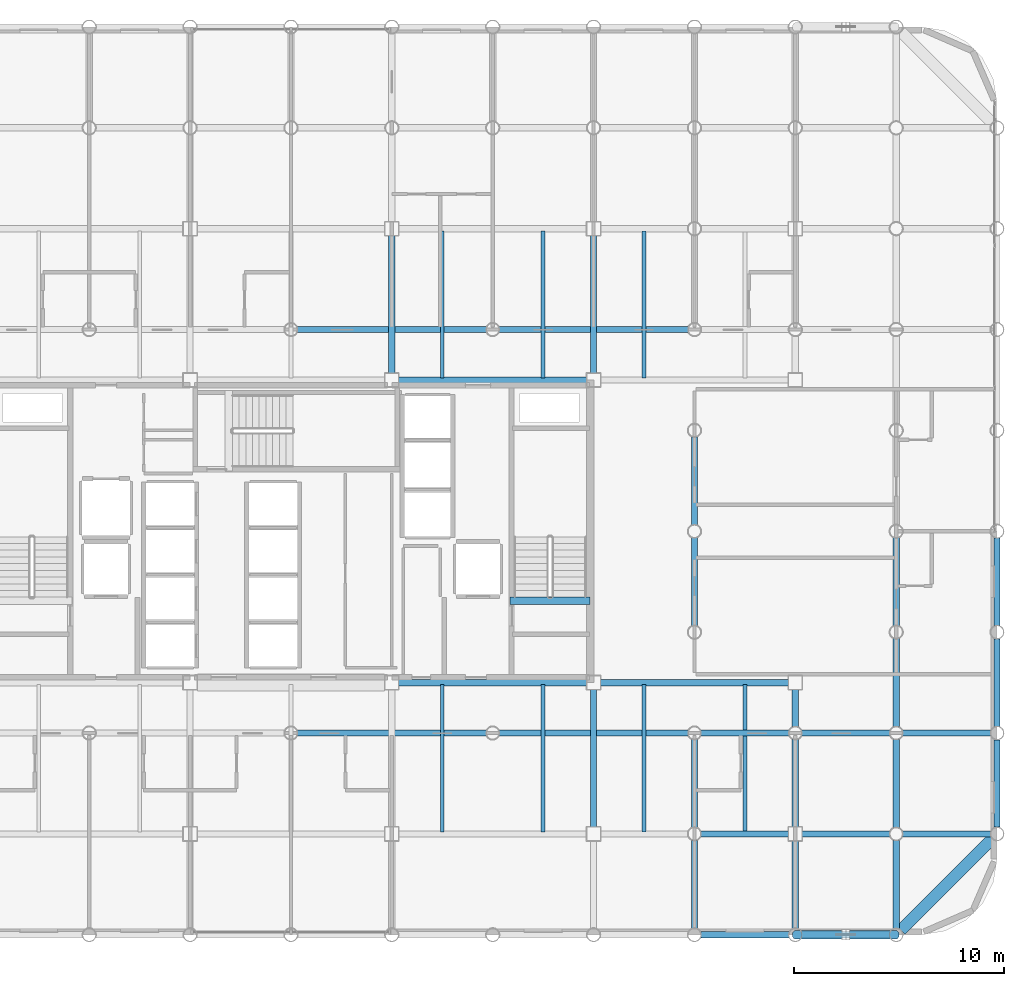
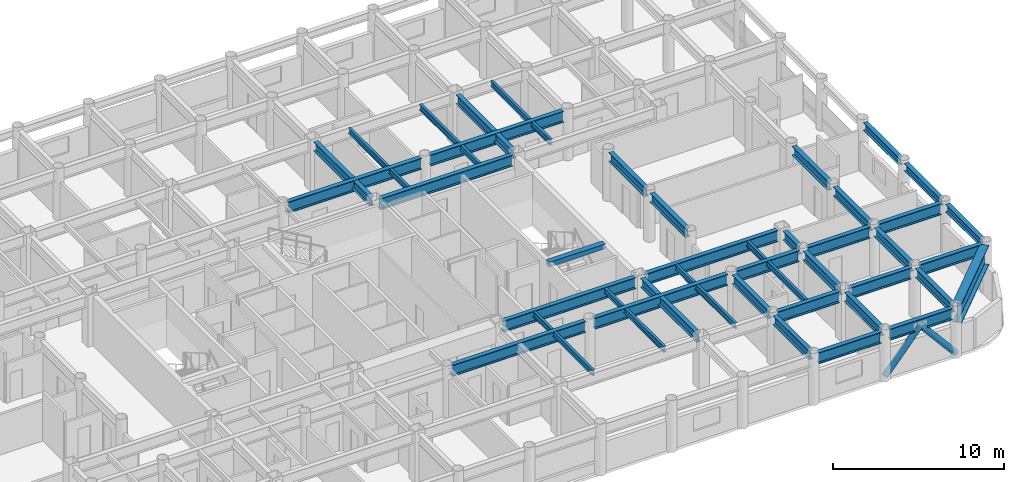
# One storey, part 7 of 22: 41 beams, 2 members.
"""IFC4 building model written with IfcOpenShell, lengths in metres."""

from ifc_helpers import new_model, si_unit, direction, frame, origin, origin_2d, place, context, subcontext, project, spatial, rectangle, hollow_circle, i_section, extrude, material, material_profile, profile_set, type_object, element, save


model = new_model("IFC4")

# Units and contexts
model_context = context("Model", 3, precision=1e-05, world=origin(), true_north=direction((0.0, 1.0)))
body_context = subcontext(model_context, "Body", "Model", "MODEL_VIEW")
ifc_project = project(units=[si_unit("LENGTHUNIT", "METRE"), si_unit("AREAUNIT", "SQUARE_METRE"), si_unit("VOLUMEUNIT", "CUBIC_METRE"), si_unit("PLANEANGLEUNIT", "RADIAN"), si_unit("MASSUNIT", "GRAM", prefix="KILO")], contexts=[model_context])

# Site, building, storey
site_placement = place(None, origin())
site = spatial("IfcSite", under=ifc_project, at=site_placement, CompositionType="ELEMENT")
building_placement = place(site_placement, origin())
building = spatial("IfcBuilding", under=site, at=building_placement, Name="Kallvorn Hotel Tower", CompositionType="ELEMENT")
storey_placement = place(building_placement, frame((0.0, 0.0, 113.699951171875)))
storey = spatial("IfcBuildingStorey", under=building, at=storey_placement, Name="L27", CompositionType="ELEMENT", Elevation=113.699951171875)

# Beams
ifc_material_1 = material(Name="Structural steel S355JR", Category="steel")
ifc_material_profile_1 = material_profile(ifc_material_1, i_section(OverallWidth=0.300048828125, OverallDepth=0.550048828125, WebThickness=0.014892578125, FlangeThickness=0.029052734375, at=origin_2d()), Name="HE 550 B")
ifc_profile_set_1 = profile_set([ifc_material_profile_1], Name="Structural steel S355JR")
beam_type_1 = type_object("IfcBeamType", Name="BM_HE550B", PredefinedType="SPANDREL", material=ifc_profile_set_1)
beam_1_placement = place(storey_placement, frame((33.60009765625, -14.080078125, 3.2451171875), z_axis=(0.0, 1.0, 0.0), x_axis=(-1.0, 0.0, 0.0)))
element("IfcBeam", 1, at=beam_1_placement, inside=storey, type_object=beam_type_1, Name="L28 Perimeter Spandrel 182", PredefinedType="SPANDREL", context=body_context, shape_type="SweptSolid", body=[
    extrude(i_section(OverallWidth=0.300048828125, OverallDepth=0.550048828125, WebThickness=0.014892578125, FlangeThickness=0.029052734375, at=origin_2d()), origin(), (0.0, 0.0, 1.0), 4.16015625),
])
for number, where, z_axis, x_axis, name in (
    (2, (33.60009765625, -9.280029296875, 3.2451171875), (0.0, 1.0, 0.0), (-1.0, 0.0, 0.0), "L28 Perimeter Spandrel 183"),
    (3, (33.60009765625, -4.47998046875, 3.2451171875), (0.0, 1.0, 0.0), (-1.0, 0.0, 0.0), "L28 Perimeter Spandrel 184"),
):
    element("IfcBeam", number, at=place(storey_placement, frame(where, z_axis=z_axis, x_axis=x_axis)), inside=storey, type_object=beam_type_1, Name=name, PredefinedType="SPANDREL", context=body_context, shape_type="SweptSolid", body=[
        extrude(i_section(OverallWidth=0.300048828125, OverallDepth=0.550048828125, WebThickness=0.014892578125, FlangeThickness=0.029052734375, at=origin_2d()), origin(), (0.0, 0.0, 1.0), 4.159912109375),
    ])
ifc_material_2 = material(Name="Structural steel S355JR", Category="steel")
ifc_material_profile_2 = material_profile(ifc_material_2, i_section(OverallWidth=0.300048828125, OverallDepth=0.64990234375, WebThickness=0.01611328125, FlangeThickness=0.031005859375, at=origin_2d()), Name="HE 650 B")
ifc_profile_set_2 = profile_set([ifc_material_profile_2], Name="Structural steel S355JR")
beam_type_2 = type_object("IfcBeamType", Name="BM_HE650B", PredefinedType="BEAM", material=ifc_profile_set_2)
for number, where, z_axis, x_axis, name in (
    (4, (4.800048828125, 7.52490234375, 3.195068359375), (0.0, 1.0, 0.0), (-1.0, 0.0, 0.0), "L28 Primary Y-Girder 115"),
    (5, (14.39990234375, -14.074951171875, 3.195068359375), (0.0, 1.0, 0.0), (-1.0, 0.0, 0.0), "L28 Primary Y-Girder 122"),
    (6, (14.39990234375, 7.52490234375, 3.195068359375), (0.0, 1.0, 0.0), (-1.0, 0.0, 0.0), "L28 Primary Y-Girder 123"),
):
    element("IfcBeam", number, at=place(storey_placement, frame(where, z_axis=z_axis, x_axis=x_axis)), inside=storey, type_object=beam_type_2, Name=name, PredefinedType="BEAM", context=body_context, shape_type="SweptSolid", body=[
        extrude(i_section(OverallWidth=0.300048828125, OverallDepth=0.64990234375, WebThickness=0.01611328125, FlangeThickness=0.031005859375, at=origin_2d()), origin(), (0.0, 0.0, 1.0), 6.550048828125),
    ])
for number, where, z_axis, x_axis, name in (
    (7, (19.199951171875, -18.89501953125, 3.195068359375), (0.0, 1.0, 0.0), (-1.0, 0.0, 0.0), "L28 Primary Y-Girder 126"),
    (8, (19.199951171875, -14.094970703125, 3.195068359375), (0.0, 1.0, 0.0), (-1.0, 0.0, 0.0), "L28 Primary Y-Girder 127"),
):
    element("IfcBeam", number, at=place(storey_placement, frame(where, z_axis=z_axis, x_axis=x_axis)), inside=storey, type_object=beam_type_2, Name=name, PredefinedType="BEAM", context=body_context, shape_type="SweptSolid", body=[
        extrude(i_section(OverallWidth=0.300048828125, OverallDepth=0.64990234375, WebThickness=0.01611328125, FlangeThickness=0.031005859375, at=origin_2d()), origin(), (0.0, 0.0, 1.0), 4.18994140625),
    ])
for number, where, z_axis, x_axis, name in (
    (9, (19.199951171875, -4.4951171875, 3.195068359375), (0.0, 1.0, 0.0), (-1.0, 0.0, 0.0), "L28 Primary Y-Girder 129"),
    (10, (19.199951171875, 0.304931640625, 3.195068359375), (0.0, 1.0, 0.0), (-1.0, 0.0, 0.0), "L28 Primary Y-Girder 130"),
):
    element("IfcBeam", number, at=place(storey_placement, frame(where, z_axis=z_axis, x_axis=x_axis)), inside=storey, type_object=beam_type_2, Name=name, PredefinedType="BEAM", context=body_context, shape_type="SweptSolid", body=[
        extrude(i_section(OverallWidth=0.300048828125, OverallDepth=0.64990234375, WebThickness=0.01611328125, FlangeThickness=0.031005859375, at=origin_2d()), origin(), (0.0, 0.0, 1.0), 4.190185546875),
    ])
for number, where, z_axis, x_axis, name in (
    (11, (24.0, -18.89501953125, 3.195068359375), (0.0, 1.0, 0.0), (-1.0, 0.0, 0.0), "L28 Primary Y-Girder 135"),
    (12, (24.0, -14.074951171875, 3.195068359375), (0.0, 1.0, 0.0), (-1.0, 0.0, 0.0), "L28 Primary Y-Girder 136"),
):
    element("IfcBeam", number, at=place(storey_placement, frame(where, z_axis=z_axis, x_axis=x_axis)), inside=storey, type_object=beam_type_2, Name=name, PredefinedType="BEAM", context=body_context, shape_type="SweptSolid", body=[
        extrude(i_section(OverallWidth=0.300048828125, OverallDepth=0.64990234375, WebThickness=0.01611328125, FlangeThickness=0.031005859375, at=origin_2d()), origin(), (0.0, 0.0, 1.0), 4.169921875),
    ])
beam_2_placement = place(storey_placement, frame((24.0, -9.294921875, 3.195068359375), z_axis=(0.0, 1.0, 0.0), x_axis=(-1.0, 0.0, 0.0)))
element("IfcBeam", 13, at=beam_2_placement, inside=storey, type_object=beam_type_2, Name="L28 Primary Y-Girder 137", PredefinedType="BEAM", context=body_context, shape_type="SweptSolid", body=[
    extrude(i_section(OverallWidth=0.300048828125, OverallDepth=0.64990234375, WebThickness=0.01611328125, FlangeThickness=0.031005859375, at=origin_2d()), origin(), (0.0, 0.0, 1.0), 1.77001953125),
])
for number, where, z_axis, x_axis, name in (
    (14, (28.800048828125, -18.89501953125, 3.195068359375), (0.0, 1.0, 0.0), (-1.0, 0.0, 0.0), "L28 Primary Y-Girder 142"),
    (15, (28.800048828125, -14.094970703125, 3.195068359375), (0.0, 1.0, 0.0), (-1.0, 0.0, 0.0), "L28 Primary Y-Girder 143"),
    (16, (28.800048828125, -9.294921875, 3.195068359375), (0.0, 1.0, 0.0), (-1.0, 0.0, 0.0), "L28 Primary Y-Girder 144"),
):
    element("IfcBeam", number, at=place(storey_placement, frame(where, z_axis=z_axis, x_axis=x_axis)), inside=storey, type_object=beam_type_2, Name=name, PredefinedType="BEAM", context=body_context, shape_type="SweptSolid", body=[
        extrude(i_section(OverallWidth=0.300048828125, OverallDepth=0.64990234375, WebThickness=0.01611328125, FlangeThickness=0.031005859375, at=origin_2d()), origin(), (0.0, 0.0, 1.0), 4.18994140625),
    ])
beam_3_placement = place(storey_placement, frame((28.800048828125, -4.4951171875, 3.195068359375), z_axis=(0.0, 1.0, 0.0), x_axis=(-1.0, 0.0, 0.0)))
element("IfcBeam", 17, at=beam_3_placement, inside=storey, type_object=beam_type_2, Name="L28 Primary Y-Girder 145", PredefinedType="BEAM", context=body_context, shape_type="SweptSolid", body=[
    extrude(i_section(OverallWidth=0.300048828125, OverallDepth=0.64990234375, WebThickness=0.01611328125, FlangeThickness=0.031005859375, at=origin_2d()), origin(), (0.0, 0.0, 1.0), 4.190185546875),
])
ifc_material_3 = material(Name="Structural steel S355JR", Category="steel")
ifc_material_profile_3 = material_profile(ifc_material_3, i_section(OverallWidth=0.300048828125, OverallDepth=0.800048828125, WebThickness=0.017578125, FlangeThickness=0.032958984375, at=origin_2d()), Name="HE 800 B")
ifc_profile_set_3 = profile_set([ifc_material_profile_3], Name="Structural steel S355JR")
beam_type_3 = type_object("IfcBeamType", Name="BM_HE800B", PredefinedType="BEAM", material=ifc_profile_set_3)
for number, where, z_axis, x_axis, name in (
    (18, (19.5048828125, -19.199951171875, 3.1201171875), (1.0, 0.0, 0.0), (0.0, 1.0, 0.0), "L28 Primary X-Girder 11"),
    (19, (24.304931640625, -19.199951171875, 3.1201171875), (1.0, 0.0, 0.0), (0.0, 1.0, 0.0), "L28 Primary X-Girder 12"),
):
    element("IfcBeam", number, at=place(storey_placement, frame(where, z_axis=z_axis, x_axis=x_axis)), inside=storey, type_object=beam_type_3, Name=name, PredefinedType="BEAM", context=body_context, shape_type="SweptSolid", body=[
        extrude(i_section(OverallWidth=0.300048828125, OverallDepth=0.800048828125, WebThickness=0.017578125, FlangeThickness=0.032958984375, at=origin_2d()), origin(), (0.0, 0.0, 1.0), 4.190185546875),
    ])
for number, where, z_axis, x_axis, name in (
    (20, (19.5048828125, -14.39990234375, 3.1201171875), (1.0, 0.0, 0.0), (0.0, 1.0, 0.0), "L28 Primary X-Girder 20"),
    (21, (24.324951171875, -14.39990234375, 3.1201171875), (1.0, 0.0, 0.0), (0.0, 1.0, 0.0), "L28 Primary X-Girder 21"),
):
    element("IfcBeam", number, at=place(storey_placement, frame(where, z_axis=z_axis, x_axis=x_axis)), inside=storey, type_object=beam_type_3, Name=name, PredefinedType="BEAM", context=body_context, shape_type="SweptSolid", body=[
        extrude(i_section(OverallWidth=0.300048828125, OverallDepth=0.800048828125, WebThickness=0.017578125, FlangeThickness=0.032958984375, at=origin_2d()), origin(), (0.0, 0.0, 1.0), 4.170166015625),
    ])
beam_4_placement = place(storey_placement, frame((29.10498046875, -14.39990234375, 3.1201171875), z_axis=(1.0, 0.0, 0.0), x_axis=(0.0, 1.0, 0.0)))
element("IfcBeam", 22, at=beam_4_placement, inside=storey, type_object=beam_type_3, Name="L28 Primary X-Girder 22", PredefinedType="BEAM", context=body_context, shape_type="SweptSolid", body=[
    extrude(i_section(OverallWidth=0.300048828125, OverallDepth=0.800048828125, WebThickness=0.017578125, FlangeThickness=0.032958984375, at=origin_2d()), origin(), (0.0, 0.0, 1.0), 4.18994140625),
])
for number, where, z_axis, x_axis, name in (
    (23, (0.304931640625, -9.60009765625, 3.1201171875), (1.0, 0.0, 0.0), (0.0, 1.0, 0.0), "L28 Primary X-Girder 27"),
    (24, (9.905029296875, -9.60009765625, 3.1201171875), (1.0, 0.0, 0.0), (0.0, 1.0, 0.0), "L28 Primary X-Girder 28"),
):
    element("IfcBeam", number, at=place(storey_placement, frame(where, z_axis=z_axis, x_axis=x_axis)), inside=storey, type_object=beam_type_3, Name=name, PredefinedType="BEAM", context=body_context, shape_type="SweptSolid", body=[
        extrude(i_section(OverallWidth=0.300048828125, OverallDepth=0.800048828125, WebThickness=0.017578125, FlangeThickness=0.032958984375, at=origin_2d()), origin(), (0.0, 0.0, 1.0), 8.989990234375),
    ])
for number, where, z_axis, x_axis, name in (
    (25, (19.5048828125, -9.60009765625, 3.1201171875), (1.0, 0.0, 0.0), (0.0, 1.0, 0.0), "L28 Primary X-Girder 29"),
    (26, (24.304931640625, -9.60009765625, 3.1201171875), (1.0, 0.0, 0.0), (0.0, 1.0, 0.0), "L28 Primary X-Girder 30"),
):
    element("IfcBeam", number, at=place(storey_placement, frame(where, z_axis=z_axis, x_axis=x_axis)), inside=storey, type_object=beam_type_3, Name=name, PredefinedType="BEAM", context=body_context, shape_type="SweptSolid", body=[
        extrude(i_section(OverallWidth=0.300048828125, OverallDepth=0.800048828125, WebThickness=0.017578125, FlangeThickness=0.032958984375, at=origin_2d()), origin(), (0.0, 0.0, 1.0), 4.190185546875),
    ])
beam_5_placement = place(storey_placement, frame((29.10498046875, -9.60009765625, 3.1201171875), z_axis=(1.0, 0.0, 0.0), x_axis=(0.0, 1.0, 0.0)))
element("IfcBeam", 27, at=beam_5_placement, inside=storey, type_object=beam_type_3, Name="L28 Primary X-Girder 31", PredefinedType="BEAM", context=body_context, shape_type="SweptSolid", body=[
    extrude(i_section(OverallWidth=0.300048828125, OverallDepth=0.800048828125, WebThickness=0.017578125, FlangeThickness=0.032958984375, at=origin_2d()), origin(), (0.0, 0.0, 1.0), 4.18994140625),
])
for number, where, z_axis, x_axis, name in (
    (28, (5.125, -7.199951171875, 3.1201171875), (1.0, 0.0, 0.0), (0.0, 1.0, 0.0), "L28 Primary X-Girder 34"),
    (29, (14.72509765625, -7.199951171875, 3.1201171875), (1.0, 0.0, 0.0), (0.0, 1.0, 0.0), "L28 Primary X-Girder 35"),
    (30, (5.125, 7.199951171875, 3.1201171875), (1.0, 0.0, 0.0), (0.0, 1.0, 0.0), "L28 Primary X-Girder 39"),
):
    element("IfcBeam", number, at=place(storey_placement, frame(where, z_axis=z_axis, x_axis=x_axis)), inside=storey, type_object=beam_type_3, Name=name, PredefinedType="BEAM", context=body_context, shape_type="SweptSolid", body=[
        extrude(i_section(OverallWidth=0.300048828125, OverallDepth=0.800048828125, WebThickness=0.017578125, FlangeThickness=0.032958984375, at=origin_2d()), origin(), (0.0, 0.0, 1.0), 8.949951171875),
    ])
for number, where, z_axis, x_axis, name in (
    (31, (0.304931640625, 9.60009765625, 3.1201171875), (1.0, 0.0, 0.0), (0.0, 1.0, 0.0), "L28 Primary X-Girder 45"),
    (32, (9.905029296875, 9.60009765625, 3.1201171875), (1.0, 0.0, 0.0), (0.0, 1.0, 0.0), "L28 Primary X-Girder 46"),
):
    element("IfcBeam", number, at=place(storey_placement, frame(where, z_axis=z_axis, x_axis=x_axis)), inside=storey, type_object=beam_type_3, Name=name, PredefinedType="BEAM", context=body_context, shape_type="SweptSolid", body=[
        extrude(i_section(OverallWidth=0.300048828125, OverallDepth=0.800048828125, WebThickness=0.017578125, FlangeThickness=0.032958984375, at=origin_2d()), origin(), (0.0, 0.0, 1.0), 8.989990234375),
    ])
ifc_material_4 = material(Name="Structural steel S355JR", Category="steel")
ifc_material_profile_4 = material_profile(ifc_material_4, i_section(OverallWidth=0.179931640625, OverallDepth=0.39990234375, WebThickness=0.008544921875, FlangeThickness=0.013427734375, at=origin_2d()), Name="IPE 400")
ifc_profile_set_4 = profile_set([ifc_material_profile_4], Name="Structural steel S355JR")
beam_type_4 = type_object("IfcBeamType", Name="BM_IPE400", PredefinedType="JOIST", material=ifc_profile_set_4)
for number, where, z_axis, x_axis, name in (
    (33, (7.199951171875, -14.300048828125, 3.320068359375), (0.0, 1.0, 0.0), (-1.0, 0.0, 0.0), "L28 Secondary Composite Joist 202"),
    (34, (7.199951171875, 7.300048828125, 3.320068359375), (0.0, 1.0, 0.0), (-1.0, 0.0, 0.0), "L28 Secondary Composite Joist 203"),
    (35, (12.0, -14.300048828125, 3.320068359375), (0.0, 1.0, 0.0), (-1.0, 0.0, 0.0), "L28 Secondary Composite Joist 204"),
    (36, (12.0, 7.300048828125, 3.320068359375), (0.0, 1.0, 0.0), (-1.0, 0.0, 0.0), "L28 Secondary Composite Joist 205"),
    (37, (16.800048828125, -14.300048828125, 3.320068359375), (0.0, 1.0, 0.0), (-1.0, 0.0, 0.0), "L28 Secondary Composite Joist 206"),
    (38, (16.800048828125, 7.300048828125, 3.320068359375), (0.0, 1.0, 0.0), (-1.0, 0.0, 0.0), "L28 Secondary Composite Joist 207"),
    (39, (21.60009765625, -14.300048828125, 3.320068359375), (0.0, 1.0, 0.0), (-1.0, 0.0, 0.0), "L28 Secondary Composite Joist 208"),
):
    element("IfcBeam", number, at=place(storey_placement, frame(where, z_axis=z_axis, x_axis=x_axis)), inside=storey, type_object=beam_type_4, Name=name, PredefinedType="JOIST", context=body_context, shape_type="SweptSolid", body=[
        extrude(i_section(OverallWidth=0.179931640625, OverallDepth=0.39990234375, WebThickness=0.008544921875, FlangeThickness=0.013427734375, at=origin_2d()), origin(), (0.0, 0.0, 1.0), 7.0),
    ])
ifc_material_5 = material(Name="Structural steel S355JR", Category="steel")
ifc_material_profile_5 = material_profile(ifc_material_5, i_section(OverallWidth=0.550048828125, OverallDepth=1.39990234375, WebThickness=0.02490234375, FlangeThickness=0.044921875, at=origin_2d()), Name="PG 1400x550x25x45")
ifc_profile_set_5 = profile_set([ifc_material_profile_5], Name="Structural steel S355JR")
beam_type_5 = type_object("IfcBeamType", Name="BM_PG_1400", PredefinedType="BEAM", material=ifc_profile_set_5)
beam_6_placement = place(storey_placement, frame((33.373779296875, -14.626220703125, 2.820068359375), z_axis=(-0.707106781187, -0.707106781187, 0.0), x_axis=(0.707106781187, -0.707106781187, 0.0)))
element("IfcBeam", 40, at=beam_6_placement, inside=storey, type_object=beam_type_5, Name="L28 Rounded Corner Tie Beam 190", PredefinedType="BEAM", context=body_context, shape_type="SweptSolid", body=[
    extrude(i_section(OverallWidth=0.550048828125, OverallDepth=1.39990234375, WebThickness=0.02490234375, FlangeThickness=0.044921875, at=origin_2d()), origin(), (0.0, 0.0, 1.0), 6.148193359375),
])
ifc_material_6 = material(Name="Concrete C50/60", Category="concrete")
ifc_material_profile_6 = material_profile(ifc_material_6, rectangle(XDim=0.360107421875, YDim=0.340087890625, at=origin_2d()), Name="RC 360x340")
ifc_profile_set_6 = profile_set([ifc_material_profile_6], Name="Concrete C50/60")
beam_type_6 = type_object("IfcBeamType", Name="BM_RC_400x360", PredefinedType="BEAM", material=ifc_profile_set_6)
beam_7_placement = place(storey_placement, frame((14.239990234375, -3.31005859375, 3.35009765625), z_axis=(-1.0, 0.0, 0.0), x_axis=(0.0, -1.0, 0.0)))
element("IfcBeam", 41, at=beam_7_placement, inside=storey, type_object=beam_type_6, Name="L28 Stair ST2 Arrival Trimmer Beam", PredefinedType="BEAM", context=body_context, shape_type="SweptSolid", body=[
    extrude(rectangle(XDim=0.360107421875, YDim=0.340087890625, at=origin_2d()), origin(), (0.0, 0.0, 1.0), 3.820068359375),
])

# Members
ifc_material_7 = material(Name="Structural steel S355J2H", Category="steel")
ifc_material_profile_7 = material_profile(ifc_material_7, hollow_circle(Radius=0.203125, WallThickness=0.01611328125, at=origin_2d()), Name="CHS 406.4x16")
ifc_profile_set_7 = profile_set([ifc_material_profile_7], Name="Structural steel S355J2H")
member_type = type_object("IfcMemberType", Name="MBR_EXO_CHS406", PredefinedType="BRACE", material=ifc_profile_set_7)
for number, where, z_axis, x_axis, name in (
    (42, (24.012939453125, -19.199951171875, 0.1953125), (0.646833296797, 0.0, 0.762631422218), (0.0, 1.0, 0.0), "L27 Exoskeleton K-Brace S2A"),
    (43, (28.787109375, -19.199951171875, 0.1953125), (-0.646833296797, 0.0, 0.762631422218), (0.0, -1.0, 0.0), "L27 Exoskeleton K-Brace S2B"),
):
    element("IfcMember", number, at=place(storey_placement, frame(where, z_axis=z_axis, x_axis=x_axis)), inside=storey, type_object=member_type, Name=name, PredefinedType="BRACE", context=body_context, shape_type="SweptSolid", body=[
        extrude(hollow_circle(Radius=0.203125, WallThickness=0.01611328125, at=origin_2d()), origin(), (0.0, 0.0, 1.0), 3.670654296875),
    ])

save(model, "model.ifc")
